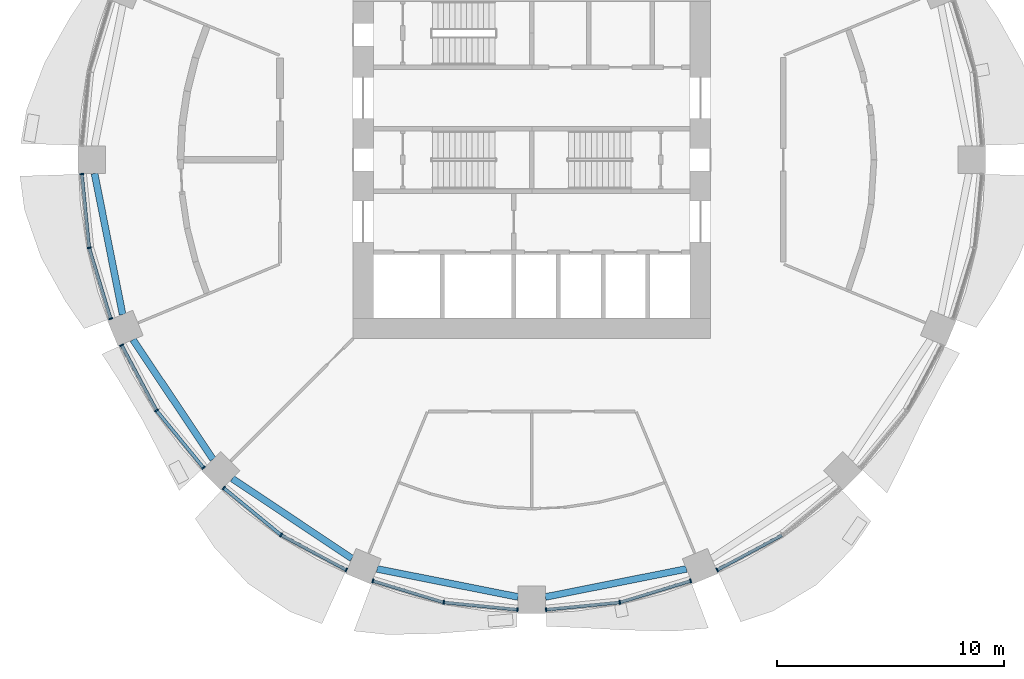
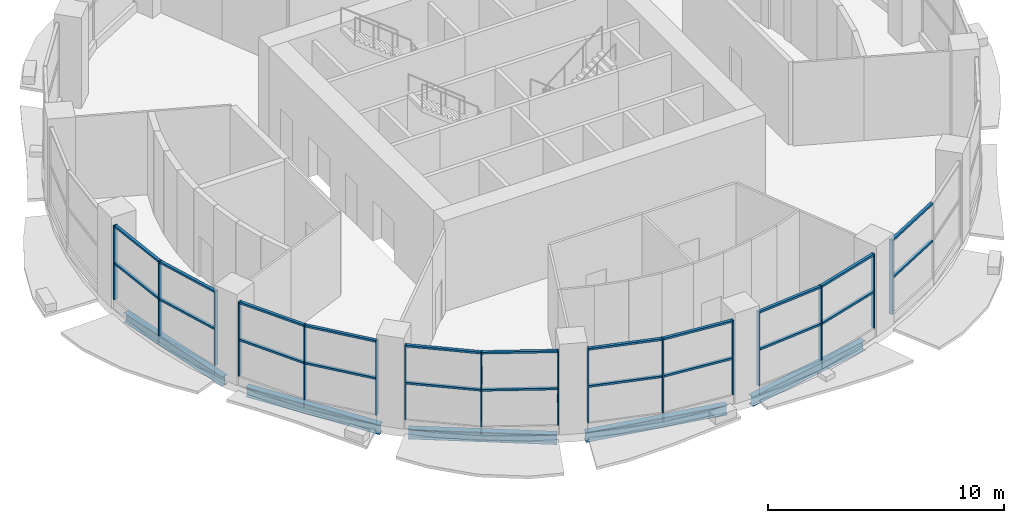
# One storey, part 2 of 14: 38 members, 5 beams, 6 elements without a shape of their own.
"""IFC4 building model written with IfcOpenShell, lengths in metres."""

from ifc_helpers import new_model, si_unit, direction, frame, origin, origin_2d, place, context, subcontext, project, spatial, rectangle, i_section, extrude, material, material_profile, profile_set, type_object, element, aggregate, save


model = new_model("IFC4")

# Units and contexts
model_context = context("Model", 3, precision=1e-05, world=origin(), true_north=direction((0.0, 1.0)))
body_context = subcontext(model_context, "Body", "Model", "MODEL_VIEW")
ifc_project = project(units=[si_unit("LENGTHUNIT", "METRE"), si_unit("AREAUNIT", "SQUARE_METRE"), si_unit("VOLUMEUNIT", "CUBIC_METRE"), si_unit("PLANEANGLEUNIT", "RADIAN"), si_unit("MASSUNIT", "GRAM", prefix="KILO")], contexts=[model_context])

# Site, building, storey
site_placement = place(None, origin())
site = spatial("IfcSite", under=ifc_project, at=site_placement, CompositionType="ELEMENT")
building_placement = place(site_placement, origin())
building = spatial("IfcBuilding", under=site, at=building_placement, Name="Polderwave Tower", CompositionType="ELEMENT")
storey_placement = place(building_placement, frame((0.0, 0.0, 5.199951171875)))
storey = spatial("IfcBuildingStorey", under=building, at=storey_placement, Name="L01", CompositionType="ELEMENT", Elevation=5.199951171875)

# Beams
ifc_material_1 = material(Name="Steel S355", Category="steel")
ifc_material_profile_1 = material_profile(ifc_material_1, i_section(OverallWidth=0.300048828125, OverallDepth=0.5, WebThickness=0.014404296875, FlangeThickness=0.028076171875, at=origin_2d()), Name="HE 500 B")
ifc_profile_set_1 = profile_set([ifc_material_profile_1], Name="Steel S355")
beam_type = type_object("IfcBeamType", Name="RING BEAM HE 500 B", PredefinedType="BEAM", material=ifc_profile_set_1)
for number, where, z_axis, x_axis, name in (
    (1, (-19.24072265625, -0.60009765625, -0.64990234375), (0.195107371928, -0.980781888811, 0.0), (0.980781888811, 0.195107371928, 0.0), "ST-RB-L01-08"),
    (2, (-17.54638671875, -7.91748046875, -0.64990234375), (0.55556321377, -0.831474302372, 0.0), (0.831474302372, 0.55556321377, 0.0), "ST-RB-L01-09"),
    (3, (-13.180908203125, -14.029541015625, -0.64990234375), (0.831474302372, -0.55556321377, 0.0), (0.55556321377, 0.831474302372, 0.0), "ST-RB-L01-10"),
    (4, (-6.808837890625, -18.005615234375, -0.64990234375), (0.980781888811, -0.195107371928, 0.0), (0.195107371928, 0.980781888811, 0.0), "ST-RB-L01-11"),
    (5, (0.60009765625, -19.24072265625, -0.64990234375), (0.980781888811, 0.195107371928, 0.0), (-0.195107371928, 0.980781888811, 0.0), "ST-RB-L01-12"),
):
    element("IfcBeam", number, at=place(storey_placement, frame(where, z_axis=z_axis, x_axis=x_axis)), inside=storey, type_object=beam_type, Name=name, PredefinedType="BEAM", context=body_context, shape_type="SweptSolid", body=[
        extrude(i_section(OverallWidth=0.300048828125, OverallDepth=0.5, WebThickness=0.014404296875, FlangeThickness=0.028076171875, at=origin_2d()), origin(), (0.0, 0.0, 1.0), 6.330322265625),
    ])

# Curtain wall, members
ifc_material_2 = material(Name="Aluminium 6063-T6 and glass", Category="aluminium")
curtain_wall_type = type_object("IfcCurtainWallType", Name="Shopfront glazing wall", PredefinedType="NOTDEFINED", material=ifc_material_2)
curtain_wall_1_placement = place(storey_placement, origin())
curtain_wall_1 = element("IfcCurtainWall", 6, at=curtain_wall_1_placement, inside=storey, type_object=curtain_wall_type, Name="CW1 L01 08", PredefinedType="NOTDEFINED")
ifc_material_3 = material(Name="Aluminium 6063-T6", Category="aluminium")
ifc_material_profile_2 = material_profile(ifc_material_3, rectangle(XDim=0.179931640625, YDim=0.06005859375, at=origin_2d()), Name="AL 60x180")
ifc_profile_set_2 = profile_set([ifc_material_profile_2], Name="Aluminium 6063-T6")
member_type_1 = type_object("IfcMemberType", Name="Shopfront glazing mullion 60x180", PredefinedType="MULLION", material=ifc_profile_set_2)
member_1_placement = place(storey_placement, frame((-19.798095703125, -0.6298828125, 0.449951171875), z_axis=(0.0, 0.0, 1.0), x_axis=(0.99516880385, 0.098178673064, 0.0)))
member_1 = element("IfcMember", 7, at=member_1_placement, type_object=member_type_1, Name="CW1 mullion 1", PredefinedType="MULLION", context=body_context, shape_type="SweptSolid", body=[
    extrude(rectangle(XDim=0.179931640625, YDim=0.06005859375, at=origin_2d()), origin(), (0.0, 0.0, 1.0), 3.85009765625),
])
member_2_placement = place(storey_placement, frame((-19.47802734375, -3.8740234375, 0.449951171875), z_axis=(0.0, 0.0, 1.0), x_axis=(0.980776085899, 0.195136540217, 0.0)))
member_2 = element("IfcMember", 8, at=member_2_placement, type_object=member_type_1, Name="CW1 mullion 2", PredefinedType="MULLION", context=body_context, shape_type="SweptSolid", body=[
    extrude(rectangle(XDim=0.179931640625, YDim=0.06005859375, at=origin_2d()), origin(), (0.0, 0.0, 1.0), 3.85009765625),
])
member_3_placement = place(storey_placement, frame((-18.53173828125, -6.994384765625, 0.449951171875), z_axis=(0.0, 0.0, 1.0), x_axis=(0.956960599094, 0.290217869509, 0.0)))
member_3 = element("IfcMember", 9, at=member_3_placement, type_object=member_type_1, Name="CW1 mullion 3", PredefinedType="MULLION", context=body_context, shape_type="SweptSolid", body=[
    extrude(rectangle(XDim=0.179931640625, YDim=0.06005859375, at=origin_2d()), origin(), (0.0, 0.0, 1.0), 3.85009765625),
])

curtain_wall_2_placement = place(storey_placement, origin())
curtain_wall_2 = element("IfcCurtainWall", 10, at=curtain_wall_2_placement, inside=storey, type_object=curtain_wall_type, Name="CW1 L01 09", PredefinedType="NOTDEFINED")
member_4_placement = place(storey_placement, frame((-18.0498046875, -8.158447265625, 0.449951171875), z_axis=(0.0, 0.0, 1.0), x_axis=(0.881940186716, 0.471361333858, 0.0)))
member_4 = element("IfcMember", 11, at=member_4_placement, type_object=member_type_1, Name="CW1 mullion 1", PredefinedType="MULLION", context=body_context, shape_type="SweptSolid", body=[
    extrude(rectangle(XDim=0.179931640625, YDim=0.06005859375, at=origin_2d()), origin(), (0.0, 0.0, 1.0), 3.85009765625),
])
member_5_placement = place(storey_placement, frame((-16.512939453125, -11.033935546875, 0.449951171875), z_axis=(0.0, 0.0, 1.0), x_axis=(0.831480278332, 0.555554269847, 0.0)))
member_5 = element("IfcMember", 12, at=member_5_placement, type_object=member_type_1, Name="CW1 mullion 2", PredefinedType="MULLION", context=body_context, shape_type="SweptSolid", body=[
    extrude(rectangle(XDim=0.179931640625, YDim=0.06005859375, at=origin_2d()), origin(), (0.0, 0.0, 1.0), 3.85009765625),
])
member_6_placement = place(storey_placement, frame((-14.445068359375, -13.5537109375, 0.449951171875), z_axis=(0.0, 0.0, 1.0), x_axis=(0.773008238908, 0.634395982475, 0.0)))
member_6 = element("IfcMember", 13, at=member_6_placement, type_object=member_type_1, Name="CW1 mullion 3", PredefinedType="MULLION", context=body_context, shape_type="SweptSolid", body=[
    extrude(rectangle(XDim=0.179931640625, YDim=0.06005859375, at=origin_2d()), origin(), (0.0, 0.0, 1.0), 3.85009765625),
])

curtain_wall_3_placement = place(storey_placement, origin())
curtain_wall_3 = element("IfcCurtainWall", 14, at=curtain_wall_3_placement, inside=storey, type_object=curtain_wall_type, Name="CW1 L01 10", PredefinedType="NOTDEFINED")
member_7_placement = place(storey_placement, frame((-13.5537109375, -14.445068359375, 0.449951171875), z_axis=(0.0, 0.0, 1.0), x_axis=(0.634395982475, 0.773008238908, 0.0)))
member_7 = element("IfcMember", 15, at=member_7_placement, type_object=member_type_1, Name="CW1 mullion 1", PredefinedType="MULLION", context=body_context, shape_type="SweptSolid", body=[
    extrude(rectangle(XDim=0.179931640625, YDim=0.06005859375, at=origin_2d()), origin(), (0.0, 0.0, 1.0), 3.85009765625),
])
member_8_placement = place(storey_placement, frame((-11.033935546875, -16.512939453125, 0.449951171875), z_axis=(0.0, 0.0, 1.0), x_axis=(0.555554269847, 0.831480278332, 0.0)))
member_8 = element("IfcMember", 16, at=member_8_placement, type_object=member_type_1, Name="CW1 mullion 2", PredefinedType="MULLION", context=body_context, shape_type="SweptSolid", body=[
    extrude(rectangle(XDim=0.179931640625, YDim=0.06005859375, at=origin_2d()), origin(), (0.0, 0.0, 1.0), 3.85009765625),
])
member_9_placement = place(storey_placement, frame((-8.158447265625, -18.0498046875, 0.449951171875), z_axis=(0.0, 0.0, 1.0), x_axis=(0.471361333858, 0.881940186716, 0.0)))
member_9 = element("IfcMember", 17, at=member_9_placement, type_object=member_type_1, Name="CW1 mullion 3", PredefinedType="MULLION", context=body_context, shape_type="SweptSolid", body=[
    extrude(rectangle(XDim=0.179931640625, YDim=0.06005859375, at=origin_2d()), origin(), (0.0, 0.0, 1.0), 3.85009765625),
])

curtain_wall_4_placement = place(storey_placement, origin())
curtain_wall_4 = element("IfcCurtainWall", 18, at=curtain_wall_4_placement, inside=storey, type_object=curtain_wall_type, Name="CW1 L01 11", PredefinedType="NOTDEFINED")
member_10_placement = place(storey_placement, frame((-6.994384765625, -18.53173828125, 0.449951171875), z_axis=(0.0, 0.0, 1.0), x_axis=(0.290217869509, 0.956960599094, 0.0)))
member_10 = element("IfcMember", 19, at=member_10_placement, type_object=member_type_1, Name="CW1 mullion 1", PredefinedType="MULLION", context=body_context, shape_type="SweptSolid", body=[
    extrude(rectangle(XDim=0.179931640625, YDim=0.06005859375, at=origin_2d()), origin(), (0.0, 0.0, 1.0), 3.85009765625),
])
member_11_placement = place(storey_placement, frame((-3.8740234375, -19.47802734375, 0.449951171875), z_axis=(0.0, 0.0, 1.0), x_axis=(0.195136540217, 0.980776085899, 0.0)))
member_11 = element("IfcMember", 20, at=member_11_placement, type_object=member_type_1, Name="CW1 mullion 2", PredefinedType="MULLION", context=body_context, shape_type="SweptSolid", body=[
    extrude(rectangle(XDim=0.179931640625, YDim=0.06005859375, at=origin_2d()), origin(), (0.0, 0.0, 1.0), 3.85009765625),
])
member_12_placement = place(storey_placement, frame((-0.6298828125, -19.798095703125, 0.449951171875), z_axis=(0.0, 0.0, 1.0), x_axis=(0.098178673064, 0.99516880385, 0.0)))
member_12 = element("IfcMember", 21, at=member_12_placement, type_object=member_type_1, Name="CW1 mullion 3", PredefinedType="MULLION", context=body_context, shape_type="SweptSolid", body=[
    extrude(rectangle(XDim=0.179931640625, YDim=0.06005859375, at=origin_2d()), origin(), (0.0, 0.0, 1.0), 3.85009765625),
])

curtain_wall_5_placement = place(storey_placement, origin())
curtain_wall_5 = element("IfcCurtainWall", 22, at=curtain_wall_5_placement, inside=storey, type_object=curtain_wall_type, Name="CW1 L01 12", PredefinedType="NOTDEFINED")
member_13_placement = place(storey_placement, frame((0.6298828125, -19.798095703125, 0.449951171875), z_axis=(0.0, 0.0, 1.0), x_axis=(-0.098178673064, 0.99516880385, 0.0)))
member_13 = element("IfcMember", 23, at=member_13_placement, type_object=member_type_1, Name="CW1 mullion 1", PredefinedType="MULLION", context=body_context, shape_type="SweptSolid", body=[
    extrude(rectangle(XDim=0.179931640625, YDim=0.06005859375, at=origin_2d()), origin(), (0.0, 0.0, 1.0), 3.85009765625),
])
member_14_placement = place(storey_placement, frame((3.8740234375, -19.47802734375, 0.449951171875), z_axis=(0.0, 0.0, 1.0), x_axis=(-0.195136540217, 0.980776085899, 0.0)))
member_14 = element("IfcMember", 24, at=member_14_placement, type_object=member_type_1, Name="CW1 mullion 2", PredefinedType="MULLION", context=body_context, shape_type="SweptSolid", body=[
    extrude(rectangle(XDim=0.179931640625, YDim=0.06005859375, at=origin_2d()), origin(), (0.0, 0.0, 1.0), 3.85009765625),
])
member_15_placement = place(storey_placement, frame((6.994384765625, -18.53173828125, 0.449951171875), z_axis=(0.0, 0.0, 1.0), x_axis=(-0.290217869509, 0.956960599094, 0.0)))
member_15 = element("IfcMember", 25, at=member_15_placement, type_object=member_type_1, Name="CW1 mullion 3", PredefinedType="MULLION", context=body_context, shape_type="SweptSolid", body=[
    extrude(rectangle(XDim=0.179931640625, YDim=0.06005859375, at=origin_2d()), origin(), (0.0, 0.0, 1.0), 3.85009765625),
])

# Curtain wall, member
curtain_wall_6_placement = place(storey_placement, origin())
curtain_wall_6 = element("IfcCurtainWall", 26, at=curtain_wall_6_placement, inside=storey, type_object=curtain_wall_type, Name="CW1 L01 13", PredefinedType="NOTDEFINED")
member_16_placement = place(storey_placement, frame((8.158447265625, -18.0498046875, 0.449951171875), z_axis=(0.0, 0.0, 1.0), x_axis=(-0.471361333858, 0.881940186716, 0.0)))
member_16 = element("IfcMember", 27, at=member_16_placement, type_object=member_type_1, Name="CW1 mullion 1", PredefinedType="MULLION", context=body_context, shape_type="SweptSolid", body=[
    extrude(rectangle(XDim=0.179931640625, YDim=0.06005859375, at=origin_2d()), origin(), (0.0, 0.0, 1.0), 3.85009765625),
])

# Member
ifc_material_profile_3 = material_profile(ifc_material_3, rectangle(XDim=0.139892578125, YDim=0.10009765625, at=origin_2d()), Name="AL 100x140")
ifc_profile_set_3 = profile_set([ifc_material_profile_3], Name="Aluminium 6063-T6")
member_type_2 = type_object("IfcMemberType", Name="Shopfront glazing transom 100x140", PredefinedType="USERDEFINED", material=ifc_profile_set_3)
member_17_placement = place(storey_placement, frame((-19.795166015625, -0.65966796875, 2.324951171875), z_axis=(0.098196730628, -0.99516702221, 0.0), x_axis=(0.99516702221, 0.098196730628, 0.0)))
member_17 = element("IfcMember", 28, at=member_17_placement, type_object=member_type_2, Name="CW1 transom 1", ObjectType="TRANSOM", PredefinedType="USERDEFINED", context=body_context, shape_type="SweptSolid", body=[
    extrude(rectangle(XDim=0.139892578125, YDim=0.10009765625, at=origin_2d()), origin(), (0.0, 0.0, 1.0), 3.19970703125),
])

member_18_placement = place(storey_placement, frame((-19.795166015625, -0.65966796875, 4.25), z_axis=(0.098196730628, -0.99516702221, 0.0), x_axis=(0.99516702221, 0.098196730628, 0.0)))
member_18 = element("IfcMember", 29, at=member_18_placement, type_object=member_type_2, Name="CW1 transom 2", ObjectType="TRANSOM", PredefinedType="USERDEFINED", context=body_context, shape_type="SweptSolid", body=[
    extrude(rectangle(XDim=0.139892578125, YDim=0.10009765625, at=origin_2d()), origin(), (0.0, 0.0, 1.0), 3.19970703125),
])

member_19_placement = place(storey_placement, frame((-19.46923828125, -3.902587890625, 2.324951171875), z_axis=(0.290229671629, -0.95695701978, 0.0), x_axis=(0.95695701978, 0.290229671629, 0.0)))
member_19 = element("IfcMember", 30, at=member_19_placement, type_object=member_type_2, Name="CW1 transom 3", ObjectType="TRANSOM", PredefinedType="USERDEFINED", context=body_context, shape_type="SweptSolid", body=[
    extrude(rectangle(XDim=0.139892578125, YDim=0.10009765625, at=origin_2d()), origin(), (0.0, 0.0, 1.0), 3.20068359375),
])

member_20_placement = place(storey_placement, frame((-19.46923828125, -3.902587890625, 4.25), z_axis=(0.290229671629, -0.95695701978, 0.0), x_axis=(0.95695701978, 0.290229671629, 0.0)))
member_20 = element("IfcMember", 31, at=member_20_placement, type_object=member_type_2, Name="CW1 transom 4", ObjectType="TRANSOM", PredefinedType="USERDEFINED", context=body_context, shape_type="SweptSolid", body=[
    extrude(rectangle(XDim=0.139892578125, YDim=0.10009765625, at=origin_2d()), origin(), (0.0, 0.0, 1.0), 3.20068359375),
])

aggregate(curtain_wall_1, [member_1, member_2, member_3, member_17, member_18, member_19, member_20])

member_21_placement = place(storey_placement, frame((-18.03564453125, -8.184814453125, 2.324951171875), z_axis=(0.471336352659, -0.8819535377, 0.0), x_axis=(0.8819535377, 0.471336352659, 0.0)))
member_21 = element("IfcMember", 32, at=member_21_placement, type_object=member_type_2, Name="CW1 transom 1", ObjectType="TRANSOM", PredefinedType="USERDEFINED", context=body_context, shape_type="SweptSolid", body=[
    extrude(rectangle(XDim=0.139892578125, YDim=0.10009765625, at=origin_2d()), origin(), (0.0, 0.0, 1.0), 3.20068359375),
])

member_22_placement = place(storey_placement, frame((-18.03564453125, -8.184814453125, 4.25), z_axis=(0.471336352659, -0.8819535377, 0.0), x_axis=(0.8819535377, 0.471336352659, 0.0)))
member_22 = element("IfcMember", 33, at=member_22_placement, type_object=member_type_2, Name="CW1 transom 2", ObjectType="TRANSOM", PredefinedType="USERDEFINED", context=body_context, shape_type="SweptSolid", body=[
    extrude(rectangle(XDim=0.139892578125, YDim=0.10009765625, at=origin_2d()), origin(), (0.0, 0.0, 1.0), 3.20068359375),
])

member_23_placement = place(storey_placement, frame((-16.493896484375, -11.05712890625, 2.324951171875), z_axis=(0.634379750332, -0.773021560093, 0.0), x_axis=(0.773021560093, 0.634379750332, 0.0)))
member_23 = element("IfcMember", 34, at=member_23_placement, type_object=member_type_2, Name="CW1 transom 3", ObjectType="TRANSOM", PredefinedType="USERDEFINED", context=body_context, shape_type="SweptSolid", body=[
    extrude(rectangle(XDim=0.139892578125, YDim=0.10009765625, at=origin_2d()), origin(), (0.0, 0.0, 1.0), 3.19970703125),
])

member_24_placement = place(storey_placement, frame((-16.493896484375, -11.05712890625, 4.25), z_axis=(0.634379750332, -0.773021560093, 0.0), x_axis=(0.773021560093, 0.634379750332, 0.0)))
member_24 = element("IfcMember", 35, at=member_24_placement, type_object=member_type_2, Name="CW1 transom 4", ObjectType="TRANSOM", PredefinedType="USERDEFINED", context=body_context, shape_type="SweptSolid", body=[
    extrude(rectangle(XDim=0.139892578125, YDim=0.10009765625, at=origin_2d()), origin(), (0.0, 0.0, 1.0), 3.19970703125),
])

aggregate(curtain_wall_2, [member_4, member_5, member_6, member_21, member_22, member_23, member_24])

member_25_placement = place(storey_placement, frame((-13.530517578125, -14.464111328125, 2.324951171875), z_axis=(0.773021560093, -0.634379750332, 0.0), x_axis=(0.634379750332, 0.773021560093, 0.0)))
member_25 = element("IfcMember", 36, at=member_25_placement, type_object=member_type_2, Name="CW1 transom 1", ObjectType="TRANSOM", PredefinedType="USERDEFINED", context=body_context, shape_type="SweptSolid", body=[
    extrude(rectangle(XDim=0.139892578125, YDim=0.10009765625, at=origin_2d()), origin(), (0.0, 0.0, 1.0), 3.19970703125),
])

member_26_placement = place(storey_placement, frame((-13.530517578125, -14.464111328125, 4.25), z_axis=(0.773021560093, -0.634379750332, 0.0), x_axis=(0.634379750332, 0.773021560093, 0.0)))
member_26 = element("IfcMember", 37, at=member_26_placement, type_object=member_type_2, Name="CW1 transom 2", ObjectType="TRANSOM", PredefinedType="USERDEFINED", context=body_context, shape_type="SweptSolid", body=[
    extrude(rectangle(XDim=0.139892578125, YDim=0.10009765625, at=origin_2d()), origin(), (0.0, 0.0, 1.0), 3.19970703125),
])

member_27_placement = place(storey_placement, frame((-11.007568359375, -16.527099609375, 2.324951171875), z_axis=(0.8819535377, -0.471336352659, 0.0), x_axis=(0.471336352659, 0.8819535377, 0.0)))
member_27 = element("IfcMember", 38, at=member_27_placement, type_object=member_type_2, Name="CW1 transom 3", ObjectType="TRANSOM", PredefinedType="USERDEFINED", context=body_context, shape_type="SweptSolid", body=[
    extrude(rectangle(XDim=0.139892578125, YDim=0.10009765625, at=origin_2d()), origin(), (0.0, 0.0, 1.0), 3.20068359375),
])

member_28_placement = place(storey_placement, frame((-11.007568359375, -16.527099609375, 4.25), z_axis=(0.8819535377, -0.471336352659, 0.0), x_axis=(0.471336352659, 0.8819535377, 0.0)))
member_28 = element("IfcMember", 39, at=member_28_placement, type_object=member_type_2, Name="CW1 transom 4", ObjectType="TRANSOM", PredefinedType="USERDEFINED", context=body_context, shape_type="SweptSolid", body=[
    extrude(rectangle(XDim=0.139892578125, YDim=0.10009765625, at=origin_2d()), origin(), (0.0, 0.0, 1.0), 3.20068359375),
])

aggregate(curtain_wall_3, [member_7, member_8, member_9, member_25, member_26, member_27, member_28])

member_29_placement = place(storey_placement, frame((-6.965576171875, -18.540283203125, 2.324951171875), z_axis=(0.95695701978, -0.290229671629, 0.0), x_axis=(0.290229671629, 0.95695701978, 0.0)))
member_29 = element("IfcMember", 40, at=member_29_placement, type_object=member_type_2, Name="CW1 transom 1", ObjectType="TRANSOM", PredefinedType="USERDEFINED", context=body_context, shape_type="SweptSolid", body=[
    extrude(rectangle(XDim=0.139892578125, YDim=0.10009765625, at=origin_2d()), origin(), (0.0, 0.0, 1.0), 3.20068359375),
])

member_30_placement = place(storey_placement, frame((-6.965576171875, -18.540283203125, 4.25), z_axis=(0.95695701978, -0.290229671629, 0.0), x_axis=(0.290229671629, 0.95695701978, 0.0)))
member_30 = element("IfcMember", 41, at=member_30_placement, type_object=member_type_2, Name="CW1 transom 2", ObjectType="TRANSOM", PredefinedType="USERDEFINED", context=body_context, shape_type="SweptSolid", body=[
    extrude(rectangle(XDim=0.139892578125, YDim=0.10009765625, at=origin_2d()), origin(), (0.0, 0.0, 1.0), 3.20068359375),
])

member_31_placement = place(storey_placement, frame((-3.843994140625, -19.48095703125, 2.324951171875), z_axis=(0.99516702221, -0.098196730628, 0.0), x_axis=(0.098196730628, 0.99516702221, 0.0)))
member_31 = element("IfcMember", 42, at=member_31_placement, type_object=member_type_2, Name="CW1 transom 3", ObjectType="TRANSOM", PredefinedType="USERDEFINED", context=body_context, shape_type="SweptSolid", body=[
    extrude(rectangle(XDim=0.139892578125, YDim=0.10009765625, at=origin_2d()), origin(), (0.0, 0.0, 1.0), 3.19970703125),
])

member_32_placement = place(storey_placement, frame((-3.843994140625, -19.48095703125, 4.25), z_axis=(0.99516702221, -0.098196730628, 0.0), x_axis=(0.098196730628, 0.99516702221, 0.0)))
member_32 = element("IfcMember", 43, at=member_32_placement, type_object=member_type_2, Name="CW1 transom 4", ObjectType="TRANSOM", PredefinedType="USERDEFINED", context=body_context, shape_type="SweptSolid", body=[
    extrude(rectangle(XDim=0.139892578125, YDim=0.10009765625, at=origin_2d()), origin(), (0.0, 0.0, 1.0), 3.19970703125),
])

aggregate(curtain_wall_4, [member_10, member_11, member_12, member_29, member_30, member_31, member_32])

member_33_placement = place(storey_placement, frame((0.65966796875, -19.795166015625, 2.324951171875), z_axis=(0.99516702221, 0.098196730628, 0.0), x_axis=(-0.098196730628, 0.99516702221, 0.0)))
member_33 = element("IfcMember", 44, at=member_33_placement, type_object=member_type_2, Name="CW1 transom 1", ObjectType="TRANSOM", PredefinedType="USERDEFINED", context=body_context, shape_type="SweptSolid", body=[
    extrude(rectangle(XDim=0.139892578125, YDim=0.10009765625, at=origin_2d()), origin(), (0.0, 0.0, 1.0), 3.19970703125),
])

member_34_placement = place(storey_placement, frame((0.65966796875, -19.795166015625, 4.25), z_axis=(0.99516702221, 0.098196730628, 0.0), x_axis=(-0.098196730628, 0.99516702221, 0.0)))
member_34 = element("IfcMember", 45, at=member_34_placement, type_object=member_type_2, Name="CW1 transom 2", ObjectType="TRANSOM", PredefinedType="USERDEFINED", context=body_context, shape_type="SweptSolid", body=[
    extrude(rectangle(XDim=0.139892578125, YDim=0.10009765625, at=origin_2d()), origin(), (0.0, 0.0, 1.0), 3.19970703125),
])

member_35_placement = place(storey_placement, frame((3.902587890625, -19.46923828125, 2.324951171875), z_axis=(0.95695701978, 0.290229671629, 0.0), x_axis=(-0.290229671629, 0.95695701978, 0.0)))
member_35 = element("IfcMember", 46, at=member_35_placement, type_object=member_type_2, Name="CW1 transom 3", ObjectType="TRANSOM", PredefinedType="USERDEFINED", context=body_context, shape_type="SweptSolid", body=[
    extrude(rectangle(XDim=0.139892578125, YDim=0.10009765625, at=origin_2d()), origin(), (0.0, 0.0, 1.0), 3.20068359375),
])

member_36_placement = place(storey_placement, frame((3.902587890625, -19.46923828125, 4.25), z_axis=(0.95695701978, 0.290229671629, 0.0), x_axis=(-0.290229671629, 0.95695701978, 0.0)))
member_36 = element("IfcMember", 47, at=member_36_placement, type_object=member_type_2, Name="CW1 transom 4", ObjectType="TRANSOM", PredefinedType="USERDEFINED", context=body_context, shape_type="SweptSolid", body=[
    extrude(rectangle(XDim=0.139892578125, YDim=0.10009765625, at=origin_2d()), origin(), (0.0, 0.0, 1.0), 3.20068359375),
])

aggregate(curtain_wall_5, [member_13, member_14, member_15, member_33, member_34, member_35, member_36])

member_37_placement = place(storey_placement, frame((8.184814453125, -18.03564453125, 2.324951171875), z_axis=(0.8819535377, 0.471336352659, 0.0), x_axis=(-0.471336352659, 0.8819535377, 0.0)))
member_37 = element("IfcMember", 48, at=member_37_placement, type_object=member_type_2, Name="CW1 transom 1", ObjectType="TRANSOM", PredefinedType="USERDEFINED", context=body_context, shape_type="SweptSolid", body=[
    extrude(rectangle(XDim=0.139892578125, YDim=0.10009765625, at=origin_2d()), origin(), (0.0, 0.0, 1.0), 3.20068359375),
])

member_38_placement = place(storey_placement, frame((8.184814453125, -18.03564453125, 4.25), z_axis=(0.8819535377, 0.471336352659, 0.0), x_axis=(-0.471336352659, 0.8819535377, 0.0)))
member_38 = element("IfcMember", 49, at=member_38_placement, type_object=member_type_2, Name="CW1 transom 2", ObjectType="TRANSOM", PredefinedType="USERDEFINED", context=body_context, shape_type="SweptSolid", body=[
    extrude(rectangle(XDim=0.139892578125, YDim=0.10009765625, at=origin_2d()), origin(), (0.0, 0.0, 1.0), 3.20068359375),
])

aggregate(curtain_wall_6, [member_16, member_37, member_38])

save(model, "model.ifc")
